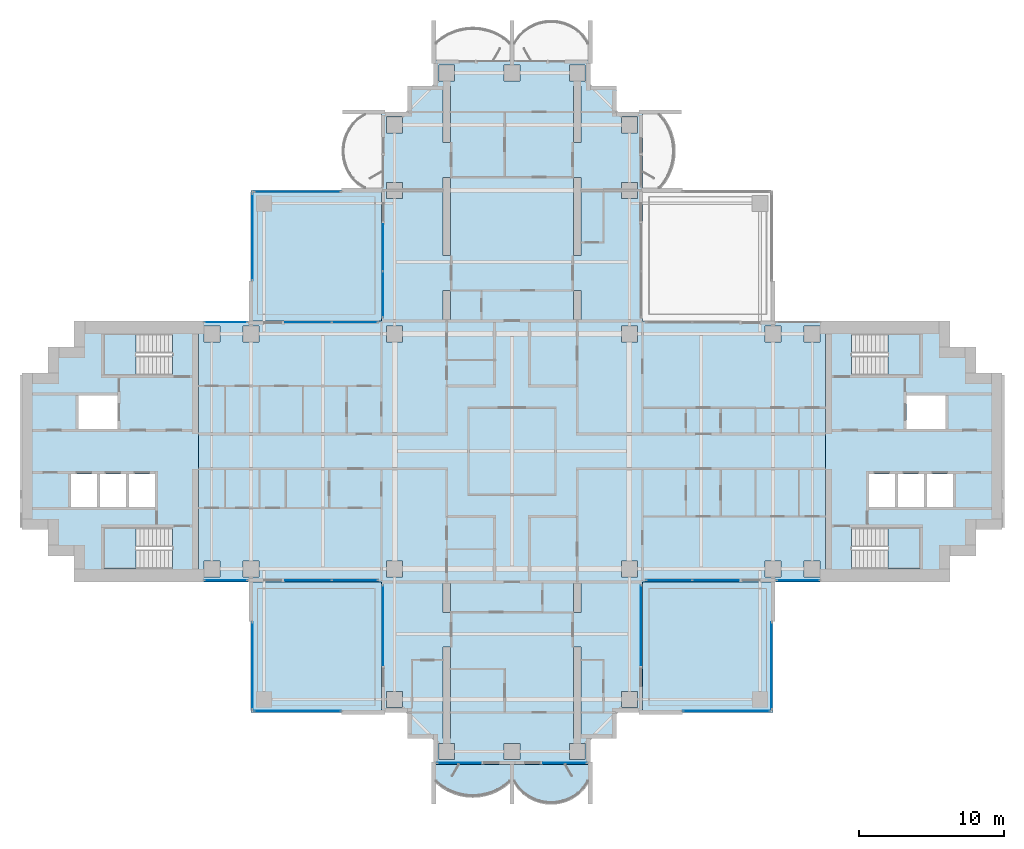
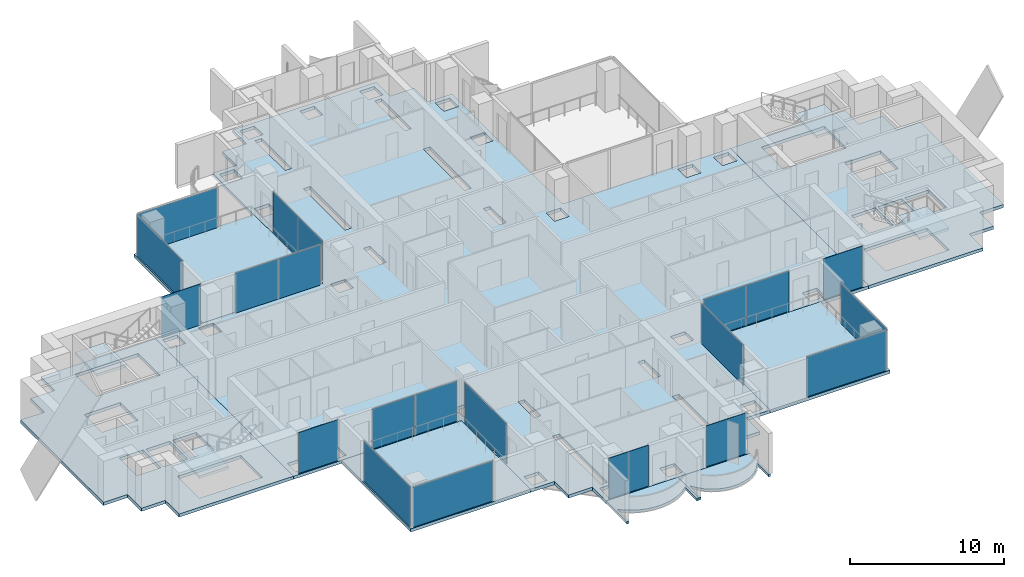
# One storey, part 7 of 18: 21 plates, 12 slabs, 21 elements without a shape of their own.
"""IFC4 building model written with IfcOpenShell, lengths in metres."""

from ifc_helpers import new_model, si_unit, direction, frame, origin, origin_2d, place, context, subcontext, project, spatial, polyline, rectangle, outline, extrude, material, layer, layer_set, type_object, element, aggregate, save


model = new_model("IFC4")

# Units and contexts
model_context = context("Model", 3, precision=1e-05, world=origin(), true_north=direction((0.0, 1.0)))
body_context = subcontext(model_context, "Body", "Model", "MODEL_VIEW")
ifc_project = project(units=[si_unit("LENGTHUNIT", "METRE"), si_unit("AREAUNIT", "SQUARE_METRE"), si_unit("VOLUMEUNIT", "CUBIC_METRE"), si_unit("PLANEANGLEUNIT", "RADIAN"), si_unit("MASSUNIT", "GRAM", prefix="KILO")], contexts=[model_context])

# Site, building, storey
site_placement = place(None, origin())
site = spatial("IfcSite", under=ifc_project, at=site_placement, CompositionType="ELEMENT")
building_placement = place(site_placement, origin())
building = spatial("IfcBuilding", under=site, at=building_placement, Name="Perihelion Cross Residences", CompositionType="ELEMENT")
storey_placement = place(building_placement, frame((0.0, 0.0, 140.89990234375)))
storey = spatial("IfcBuildingStorey", under=building, at=storey_placement, Name="L34", CompositionType="ELEMENT", Elevation=140.89990234375)

# Slabs
ifc_material_1 = material(Name="Concrete C40/50", Category="concrete")
ifc_layer_1 = layer(ifc_material_1, 0.199951171875)
ifc_layer_set_1 = layer_set([ifc_layer_1], Name="Balcony slab 200")
slab_type_1 = type_object("IfcSlabType", Name="Balcony slab 200", PredefinedType="FLOOR", material=ifc_layer_set_1)
slab_1_placement = place(storey_placement, frame((0.0, 0.0, -0.199951171875)))
element("IfcSlab", 1, at=slab_1_placement, inside=storey, type_object=slab_type_1, Name="Slab BK1 L34 south tip south bay 1 balcony", PredefinedType="FLOOR", context=body_context, shape_type="SweptSolid", body=[
    extrude(outline(polyline([(-5.39990234375, -21.60009765625), (0.0, -21.60009765625), (0.0, -24.300048828125), (-0.14990234375, -24.300048828125), (-0.14990234375, -22.800048828125), (-0.574951171875, -23.14013671875), (-1.0, -23.392578125), (-1.425048828125, -23.57666015625), (-1.85009765625, -23.702392578125), (-2.27490234375, -23.77587890625), (-2.699951171875, -23.800048828125), (-3.125, -23.77587890625), (-3.550048828125, -23.702392578125), (-3.97509765625, -23.57666015625), (-4.39990234375, -23.392578125), (-4.824951171875, -23.14013671875), (-5.25, -22.800048828125), (-5.25, -24.300048828125), (-5.39990234375, -24.300048828125), (-5.39990234375, -21.60009765625)])), origin(), (0.0, 0.0, 1.0), 0.199951171875),
])
slab_2_placement = place(storey_placement, frame((0.0, 0.0, -0.199951171875)))
element("IfcSlab", 2, at=slab_2_placement, inside=storey, type_object=slab_type_1, Name="Slab BK1 L34 south tip south bay 2 balcony", PredefinedType="FLOOR", context=body_context, shape_type="SweptSolid", body=[
    extrude(outline(polyline([(0.0, -21.60009765625), (5.39990234375, -21.60009765625), (5.39990234375, -24.300048828125), (5.25, -24.300048828125), (5.25, -22.800048828125), (4.909912109375, -23.27685546875), (4.570068359375, -23.60693359375), (4.22998046875, -23.84912109375), (3.889892578125, -24.027099609375), (3.550048828125, -24.1533203125), (3.2099609375, -24.234375), (2.8701171875, -24.274169921875), (2.530029296875, -24.274169921875), (2.18994140625, -24.234375), (1.85009765625, -24.1533203125), (1.510009765625, -24.027099609375), (1.169921875, -23.84912109375), (0.830078125, -23.60693359375), (0.489990234375, -23.27685546875), (0.14990234375, -22.800048828125), (0.14990234375, -24.300048828125), (0.0, -24.300048828125), (0.0, -21.60009765625)])), origin(), (0.0, 0.0, 1.0), 0.199951171875),
])

# Curtain wall, plates
ifc_material_2 = material(Name="Bronze anodised aluminium, tinted glazing", Category="aluminium")
curtain_wall_type_1 = type_object("IfcCurtainWallType", Name="CW1", PredefinedType="NOTDEFINED", material=ifc_material_2)
curtain_wall_1_placement = place(storey_placement, origin())
curtain_wall_1 = element("IfcCurtainWall", 3, at=curtain_wall_1_placement, inside=storey, type_object=curtain_wall_type_1, Name="Curtain wall CW1 L34 north side west bay 2", PredefinedType="NOTDEFINED")
ifc_material_3 = material(Name="Tinted laminated glass", Category="glass")
ifc_layer_2 = layer(ifc_material_3, 0.028076171875)
ifc_layer_set_2 = layer_set([ifc_layer_2], Name="CW1 panel")
plate_type_1 = type_object("IfcPlateType", Name="CW1 panel", PredefinedType="CURTAIN_PANEL", material=ifc_layer_set_2)
plate_1_placement = place(storey_placement, frame((-8.89990234375, 14.052490234375, 0.000244140625), z_axis=(0.0, 0.0, 1.0), x_axis=(0.0, -1.0, 0.0)))
plate_1 = element("IfcPlate", 4, at=plate_1_placement, type_object=plate_type_1, Name="CW1 panel 1", PredefinedType="CURTAIN_PANEL", context=body_context, shape_type="SweptSolid", body=[
    extrude(rectangle(XDim=3.195068359375, YDim=0.028076171875, at=origin_2d()), origin(), (0.0, 0.0, 1.0), 3.18994140625),
])
plate_2_placement = place(storey_placement, frame((-8.89990234375, 10.827392578125, 0.000244140625), z_axis=(0.0, 0.0, 1.0), x_axis=(0.0, -1.0, 0.0)))
plate_2 = element("IfcPlate", 5, at=plate_2_placement, type_object=plate_type_1, Name="CW1 panel 2", PredefinedType="CURTAIN_PANEL", context=body_context, shape_type="SweptSolid", body=[
    extrude(rectangle(XDim=3.135009765625, YDim=0.028076171875, at=origin_2d()), origin(), (0.0, 0.0, 1.0), 3.18994140625),
])
aggregate(curtain_wall_1, [plate_1, plate_2])

curtain_wall_2_placement = place(storey_placement, origin())
curtain_wall_2 = element("IfcCurtainWall", 6, at=curtain_wall_2_placement, inside=storey, type_object=curtain_wall_type_1, Name="Curtain wall CW1 L34 west side north bay 1", PredefinedType="NOTDEFINED")
plate_3_placement = place(storey_placement, frame((-10.827392578125, 8.89990234375, 0.000244140625), z_axis=(0.0, 0.0, 1.0), x_axis=(-1.0, 0.0, 0.0)))
plate_3 = element("IfcPlate", 7, at=plate_3_placement, type_object=plate_type_1, Name="CW1 panel 1", PredefinedType="CURTAIN_PANEL", context=body_context, shape_type="SweptSolid", body=[
    extrude(rectangle(XDim=3.135009765625, YDim=0.028076171875, at=origin_2d()), origin(), (0.0, 0.0, 1.0), 3.18994140625),
])
plate_4_placement = place(storey_placement, frame((-14.052490234375, 8.89990234375, 0.000244140625), z_axis=(0.0, 0.0, 1.0), x_axis=(-1.0, 0.0, 0.0)))
plate_4 = element("IfcPlate", 8, at=plate_4_placement, type_object=plate_type_1, Name="CW1 panel 2", PredefinedType="CURTAIN_PANEL", context=body_context, shape_type="SweptSolid", body=[
    extrude(rectangle(XDim=3.195068359375, YDim=0.028076171875, at=origin_2d()), origin(), (0.0, 0.0, 1.0), 3.18994140625),
])
aggregate(curtain_wall_2, [plate_3, plate_4])

# Curtain wall, plate
curtain_wall_3_placement = place(storey_placement, origin())
curtain_wall_3 = element("IfcCurtainWall", 9, at=curtain_wall_3_placement, inside=storey, type_object=curtain_wall_type_1, Name="Curtain wall CW1 L34 west side north bay 2", PredefinedType="NOTDEFINED")
plate_5_placement = place(storey_placement, frame((-19.72509765625, 8.89990234375, 0.0), z_axis=(0.0, 0.0, 1.0), x_axis=(-1.0, 0.0, 0.0)))
plate_5 = element("IfcPlate", 10, at=plate_5_placement, type_object=plate_type_1, Name="CW1 panel 1", PredefinedType="CURTAIN_PANEL", context=body_context, shape_type="SweptSolid", body=[
    extrude(rectangle(XDim=2.929931640625, YDim=0.028076171875, at=origin_2d()), origin(), (0.0, 0.0, 1.0), 3.25),
])
aggregate(curtain_wall_3, [plate_5])

curtain_wall_4_placement = place(storey_placement, origin())
curtain_wall_4 = element("IfcCurtainWall", 11, at=curtain_wall_4_placement, inside=storey, type_object=curtain_wall_type_1, Name="Curtain wall CW1 L34 west side south bay 1", PredefinedType="NOTDEFINED")
plate_6_placement = place(storey_placement, frame((-19.72509765625, -8.89990234375, 0.0), z_axis=(0.0, 0.0, 1.0), x_axis=(1.0, 0.0, 0.0)))
plate_6 = element("IfcPlate", 12, at=plate_6_placement, type_object=plate_type_1, Name="CW1 panel 1", PredefinedType="CURTAIN_PANEL", context=body_context, shape_type="SweptSolid", body=[
    extrude(rectangle(XDim=2.929931640625, YDim=0.028076171875, at=origin_2d()), origin(), (0.0, 0.0, 1.0), 3.25),
])
aggregate(curtain_wall_4, [plate_6])

# Curtain wall, plates
curtain_wall_5_placement = place(storey_placement, origin())
curtain_wall_5 = element("IfcCurtainWall", 13, at=curtain_wall_5_placement, inside=storey, type_object=curtain_wall_type_1, Name="Curtain wall CW1 L34 west side south bay 2", PredefinedType="NOTDEFINED")
plate_7_placement = place(storey_placement, frame((-14.052490234375, -8.89990234375, 0.000244140625), z_axis=(0.0, 0.0, 1.0), x_axis=(1.0, 0.0, 0.0)))
plate_7 = element("IfcPlate", 14, at=plate_7_placement, type_object=plate_type_1, Name="CW1 panel 1", PredefinedType="CURTAIN_PANEL", context=body_context, shape_type="SweptSolid", body=[
    extrude(rectangle(XDim=3.195068359375, YDim=0.028076171875, at=origin_2d()), origin(), (0.0, 0.0, 1.0), 3.18994140625),
])
plate_8_placement = place(storey_placement, frame((-10.827392578125, -8.89990234375, 0.000244140625), z_axis=(0.0, 0.0, 1.0), x_axis=(1.0, 0.0, 0.0)))
plate_8 = element("IfcPlate", 15, at=plate_8_placement, type_object=plate_type_1, Name="CW1 panel 2", PredefinedType="CURTAIN_PANEL", context=body_context, shape_type="SweptSolid", body=[
    extrude(rectangle(XDim=3.135009765625, YDim=0.028076171875, at=origin_2d()), origin(), (0.0, 0.0, 1.0), 3.18994140625),
])
aggregate(curtain_wall_5, [plate_7, plate_8])

# Curtain wall, plate
curtain_wall_6_placement = place(storey_placement, origin())
curtain_wall_6 = element("IfcCurtainWall", 16, at=curtain_wall_6_placement, inside=storey, type_object=curtain_wall_type_1, Name="Curtain wall CW1 L34 south side west bay 1", PredefinedType="NOTDEFINED")
plate_9_placement = place(storey_placement, frame((-8.89990234375, -12.0048828125, 0.000244140625), z_axis=(0.0, 0.0, 1.0), x_axis=(0.0, -1.0, 0.0)))
plate_9 = element("IfcPlate", 17, at=plate_9_placement, type_object=plate_type_1, Name="CW1 panel 1", PredefinedType="CURTAIN_PANEL", context=body_context, shape_type="SweptSolid", body=[
    extrude(rectangle(XDim=5.489990234375, YDim=0.028076171875, at=origin_2d()), origin(), (0.0, 0.0, 1.0), 3.18994140625),
])
aggregate(curtain_wall_6, [plate_9])

curtain_wall_7_placement = place(storey_placement, origin())
curtain_wall_7 = element("IfcCurtainWall", 18, at=curtain_wall_7_placement, inside=storey, type_object=curtain_wall_type_1, Name="Curtain wall CW1 L34 south tip south bay 1", PredefinedType="NOTDEFINED")
plate_10_placement = place(storey_placement, frame((-3.64501953125, -21.5, 0.0), z_axis=(0.0, 0.0, 1.0), x_axis=(1.0, 0.0, 0.0)))
plate_10 = element("IfcPlate", 19, at=plate_10_placement, type_object=plate_type_1, Name="CW1 panel 1", PredefinedType="CURTAIN_PANEL", context=body_context, shape_type="SweptSolid", body=[
    extrude(rectangle(XDim=2.989990234375, YDim=0.028076171875, at=origin_2d()), origin(), (0.0, 0.0, 1.0), 3.25),
])
aggregate(curtain_wall_7, [plate_10])

curtain_wall_8_placement = place(storey_placement, origin())
curtain_wall_8 = element("IfcCurtainWall", 20, at=curtain_wall_8_placement, inside=storey, type_object=curtain_wall_type_1, Name="Curtain wall CW1 L34 south tip south bay 2", PredefinedType="NOTDEFINED")
plate_11_placement = place(storey_placement, frame((3.64501953125, -21.5, 0.0), z_axis=(0.0, 0.0, 1.0), x_axis=(1.0, 0.0, 0.0)))
plate_11 = element("IfcPlate", 21, at=plate_11_placement, type_object=plate_type_1, Name="CW1 panel 1", PredefinedType="CURTAIN_PANEL", context=body_context, shape_type="SweptSolid", body=[
    extrude(rectangle(XDim=2.989990234375, YDim=0.028076171875, at=origin_2d()), origin(), (0.0, 0.0, 1.0), 3.25),
])
aggregate(curtain_wall_8, [plate_11])

curtain_wall_9_placement = place(storey_placement, origin())
curtain_wall_9 = element("IfcCurtainWall", 22, at=curtain_wall_9_placement, inside=storey, type_object=curtain_wall_type_1, Name="Curtain wall CW1 L34 south side east bay 1", PredefinedType="NOTDEFINED")
plate_12_placement = place(storey_placement, frame((8.89990234375, -12.0048828125, 0.000244140625), z_axis=(0.0, 0.0, 1.0), x_axis=(0.0, 1.0, 0.0)))
plate_12 = element("IfcPlate", 23, at=plate_12_placement, type_object=plate_type_1, Name="CW1 panel 1", PredefinedType="CURTAIN_PANEL", context=body_context, shape_type="SweptSolid", body=[
    extrude(rectangle(XDim=5.489990234375, YDim=0.028076171875, at=origin_2d()), origin(), (0.0, 0.0, 1.0), 3.18994140625),
])
aggregate(curtain_wall_9, [plate_12])

# Curtain wall, plates
curtain_wall_10_placement = place(storey_placement, origin())
curtain_wall_10 = element("IfcCurtainWall", 24, at=curtain_wall_10_placement, inside=storey, type_object=curtain_wall_type_1, Name="Curtain wall CW1 L34 east side south bay 1", PredefinedType="NOTDEFINED")
plate_13_placement = place(storey_placement, frame((10.827392578125, -8.89990234375, 0.000244140625), z_axis=(0.0, 0.0, 1.0), x_axis=(1.0, 0.0, 0.0)))
plate_13 = element("IfcPlate", 25, at=plate_13_placement, type_object=plate_type_1, Name="CW1 panel 1", PredefinedType="CURTAIN_PANEL", context=body_context, shape_type="SweptSolid", body=[
    extrude(rectangle(XDim=3.135009765625, YDim=0.028076171875, at=origin_2d()), origin(), (0.0, 0.0, 1.0), 3.18994140625),
])
plate_14_placement = place(storey_placement, frame((14.052490234375, -8.89990234375, 0.000244140625), z_axis=(0.0, 0.0, 1.0), x_axis=(1.0, 0.0, 0.0)))
plate_14 = element("IfcPlate", 26, at=plate_14_placement, type_object=plate_type_1, Name="CW1 panel 2", PredefinedType="CURTAIN_PANEL", context=body_context, shape_type="SweptSolid", body=[
    extrude(rectangle(XDim=3.195068359375, YDim=0.028076171875, at=origin_2d()), origin(), (0.0, 0.0, 1.0), 3.18994140625),
])
aggregate(curtain_wall_10, [plate_13, plate_14])

# Curtain wall, plate
curtain_wall_11_placement = place(storey_placement, origin())
curtain_wall_11 = element("IfcCurtainWall", 27, at=curtain_wall_11_placement, inside=storey, type_object=curtain_wall_type_1, Name="Curtain wall CW1 L34 east side south bay 2", PredefinedType="NOTDEFINED")
plate_15_placement = place(storey_placement, frame((19.72509765625, -8.89990234375, 0.0), z_axis=(0.0, 0.0, 1.0), x_axis=(1.0, 0.0, 0.0)))
plate_15 = element("IfcPlate", 28, at=plate_15_placement, type_object=plate_type_1, Name="CW1 panel 1", PredefinedType="CURTAIN_PANEL", context=body_context, shape_type="SweptSolid", body=[
    extrude(rectangle(XDim=2.929931640625, YDim=0.028076171875, at=origin_2d()), origin(), (0.0, 0.0, 1.0), 3.25),
])
aggregate(curtain_wall_11, [plate_15])

ifc_material_4 = material(Name="Bronze anodised aluminium, tinted glazing", Category="aluminium")
curtain_wall_type_2 = type_object("IfcCurtainWallType", Name="CW4", PredefinedType="NOTDEFINED", material=ifc_material_4)
curtain_wall_12_placement = place(storey_placement, origin())
curtain_wall_12 = element("IfcCurtainWall", 29, at=curtain_wall_12_placement, inside=storey, type_object=curtain_wall_type_2, Name="Curtain wall CW4 L34 pocket north-west 1 1", PredefinedType="NOTDEFINED")
ifc_material_5 = material(Name="Tinted laminated glass", Category="glass")
ifc_layer_3 = layer(ifc_material_5, 0.030029296875)
ifc_layer_set_3 = layer_set([ifc_layer_3], Name="CW4 panel")
plate_type_2 = type_object("IfcPlateType", Name="CW4 panel", PredefinedType="CURTAIN_PANEL", material=ifc_layer_set_3)
plate_16_placement = place(storey_placement, frame((-17.89990234375, 14.784912109375, 0.000244140625), z_axis=(0.0, 0.0, 1.0), x_axis=(0.0, 1.0, 0.0)))
plate_16 = element("IfcPlate", 30, at=plate_16_placement, type_object=plate_type_2, Name="CW4 panel 1", PredefinedType="CURTAIN_PANEL", context=body_context, shape_type="SweptSolid", body=[
    extrude(rectangle(XDim=5.969970703125, YDim=0.030029296875, at=origin_2d()), origin(), (0.0, 0.0, 1.0), 3.18994140625),
])
aggregate(curtain_wall_12, [plate_16])

curtain_wall_13_placement = place(storey_placement, origin())
curtain_wall_13 = element("IfcCurtainWall", 31, at=curtain_wall_13_placement, inside=storey, type_object=curtain_wall_type_2, Name="Curtain wall CW4 L34 pocket north-west 1 2", PredefinedType="NOTDEFINED")
plate_17_placement = place(storey_placement, frame((-14.784912109375, 17.89990234375, 0.000244140625), z_axis=(0.0, 0.0, 1.0), x_axis=(1.0, 0.0, 0.0)))
plate_17 = element("IfcPlate", 32, at=plate_17_placement, type_object=plate_type_2, Name="CW4 panel 1", PredefinedType="CURTAIN_PANEL", context=body_context, shape_type="SweptSolid", body=[
    extrude(rectangle(XDim=5.969970703125, YDim=0.030029296875, at=origin_2d()), origin(), (0.0, 0.0, 1.0), 3.18994140625),
])
aggregate(curtain_wall_13, [plate_17])

curtain_wall_14_placement = place(storey_placement, origin())
curtain_wall_14 = element("IfcCurtainWall", 33, at=curtain_wall_14_placement, inside=storey, type_object=curtain_wall_type_2, Name="Curtain wall CW4 L34 pocket south-east 1 1", PredefinedType="NOTDEFINED")
plate_18_placement = place(storey_placement, frame((17.89990234375, -14.784912109375, 0.000244140625), z_axis=(0.0, 0.0, 1.0), x_axis=(0.0, -1.0, 0.0)))
plate_18 = element("IfcPlate", 34, at=plate_18_placement, type_object=plate_type_2, Name="CW4 panel 1", PredefinedType="CURTAIN_PANEL", context=body_context, shape_type="SweptSolid", body=[
    extrude(rectangle(XDim=5.969970703125, YDim=0.030029296875, at=origin_2d()), origin(), (0.0, 0.0, 1.0), 3.18994140625),
])
aggregate(curtain_wall_14, [plate_18])

curtain_wall_15_placement = place(storey_placement, origin())
curtain_wall_15 = element("IfcCurtainWall", 35, at=curtain_wall_15_placement, inside=storey, type_object=curtain_wall_type_2, Name="Curtain wall CW4 L34 pocket south-east 1 2", PredefinedType="NOTDEFINED")
plate_19_placement = place(storey_placement, frame((14.784912109375, -17.89990234375, 0.000244140625), z_axis=(0.0, 0.0, 1.0), x_axis=(-1.0, 0.0, 0.0)))
plate_19 = element("IfcPlate", 36, at=plate_19_placement, type_object=plate_type_2, Name="CW4 panel 1", PredefinedType="CURTAIN_PANEL", context=body_context, shape_type="SweptSolid", body=[
    extrude(rectangle(XDim=5.969970703125, YDim=0.030029296875, at=origin_2d()), origin(), (0.0, 0.0, 1.0), 3.18994140625),
])
aggregate(curtain_wall_15, [plate_19])

curtain_wall_16_placement = place(storey_placement, origin())
curtain_wall_16 = element("IfcCurtainWall", 37, at=curtain_wall_16_placement, inside=storey, type_object=curtain_wall_type_2, Name="Curtain wall CW4 L34 pocket south-west 1 1", PredefinedType="NOTDEFINED")
plate_20_placement = place(storey_placement, frame((-14.784912109375, -17.89990234375, 0.000244140625), z_axis=(0.0, 0.0, 1.0), x_axis=(-1.0, 0.0, 0.0)))
plate_20 = element("IfcPlate", 38, at=plate_20_placement, type_object=plate_type_2, Name="CW4 panel 1", PredefinedType="CURTAIN_PANEL", context=body_context, shape_type="SweptSolid", body=[
    extrude(rectangle(XDim=5.969970703125, YDim=0.030029296875, at=origin_2d()), origin(), (0.0, 0.0, 1.0), 3.18994140625),
])
aggregate(curtain_wall_16, [plate_20])

curtain_wall_17_placement = place(storey_placement, origin())
curtain_wall_17 = element("IfcCurtainWall", 39, at=curtain_wall_17_placement, inside=storey, type_object=curtain_wall_type_2, Name="Curtain wall CW4 L34 pocket south-west 1 2", PredefinedType="NOTDEFINED")
plate_21_placement = place(storey_placement, frame((-17.89990234375, -14.784912109375, 0.000244140625), z_axis=(0.0, 0.0, 1.0), x_axis=(0.0, 1.0, 0.0)))
plate_21 = element("IfcPlate", 40, at=plate_21_placement, type_object=plate_type_2, Name="CW4 panel 1", PredefinedType="CURTAIN_PANEL", context=body_context, shape_type="SweptSolid", body=[
    extrude(rectangle(XDim=5.969970703125, YDim=0.030029296875, at=origin_2d()), origin(), (0.0, 0.0, 1.0), 3.18994140625),
])
aggregate(curtain_wall_17, [plate_21])

# Slabs
ifc_material_6 = material(Name="Concrete C40/50", Category="concrete")
ifc_layer_4 = layer(ifc_material_6, 0.25)
ifc_layer_set_4 = layer_set([ifc_layer_4], Name="Core floor slab 250")
slab_type_2 = type_object("IfcSlabType", Name="Core floor slab 250", PredefinedType="FLOOR", material=ifc_layer_set_4)
slab_3_placement = place(storey_placement, frame((0.0, 0.0, -0.25)))
element("IfcSlab", 41, at=slab_3_placement, inside=storey, type_object=slab_type_2, Name="East core floor slab", PredefinedType="FLOOR", context=body_context, shape_type="SweptSolid", body=[
    extrude(outline(polyline([(30.199951171875, 7.199951171875), (32.0, 7.199951171875), (32.0, 5.39990234375), (33.800048828125, 5.39990234375), (33.800048828125, -5.39990234375), (32.0, -5.39990234375), (32.0, -7.199951171875), (30.199951171875, -7.199951171875), (30.199951171875, -9.0), (21.60009765625, -9.0), (21.60009765625, 9.0), (30.199951171875, 9.0), (30.199951171875, 7.199951171875)]), holes=[polyline([(28.14990234375, -8.10009765625), (28.14990234375, -5.25), (23.405029296875, -5.25), (23.405029296875, -8.10009765625), (28.14990234375, -8.10009765625)]), polyline([(24.60009765625, -1.550048828125), (24.60009765625, -3.85009765625), (26.39990234375, -3.85009765625), (26.39990234375, -1.550048828125), (24.60009765625, -1.550048828125)]), polyline([(26.60009765625, -1.550048828125), (26.60009765625, -3.85009765625), (28.39990234375, -3.85009765625), (28.39990234375, -1.550048828125), (26.60009765625, -1.550048828125)]), polyline([(28.60009765625, -3.85009765625), (30.39990234375, -3.85009765625), (30.39990234375, -1.550048828125), (28.60009765625, -1.550048828125), (28.60009765625, -3.85009765625)]), polyline([(27.199951171875, 3.85009765625), (27.199951171875, 1.550048828125), (29.89990234375, 1.550048828125), (29.89990234375, 3.85009765625), (27.199951171875, 3.85009765625)]), polyline([(23.405029296875, 5.25), (28.14990234375, 5.25), (28.14990234375, 8.10009765625), (23.405029296875, 8.10009765625), (23.405029296875, 5.25)])]), origin(), (0.0, 0.0, 1.0), 0.25),
])
slab_4_placement = place(storey_placement, frame((0.0, 0.0, -0.25)))
element("IfcSlab", 42, at=slab_4_placement, inside=storey, type_object=slab_type_2, Name="West core floor slab", PredefinedType="FLOOR", context=body_context, shape_type="SweptSolid", body=[
    extrude(outline(polyline([(-30.199951171875, 7.199951171875), (-32.0, 7.199951171875), (-32.0, 5.39990234375), (-33.800048828125, 5.39990234375), (-33.800048828125, -5.39990234375), (-32.0, -5.39990234375), (-32.0, -7.199951171875), (-30.199951171875, -7.199951171875), (-30.199951171875, -9.0), (-21.60009765625, -9.0), (-21.60009765625, 9.0), (-30.199951171875, 9.0), (-30.199951171875, 7.199951171875)]), holes=[polyline([(-28.14990234375, -8.10009765625), (-28.14990234375, -5.25), (-23.405029296875, -5.25), (-23.405029296875, -8.10009765625), (-28.14990234375, -8.10009765625)]), polyline([(-24.60009765625, -1.550048828125), (-24.60009765625, -3.85009765625), (-26.39990234375, -3.85009765625), (-26.39990234375, -1.550048828125), (-24.60009765625, -1.550048828125)]), polyline([(-26.60009765625, -1.550048828125), (-26.60009765625, -3.85009765625), (-28.39990234375, -3.85009765625), (-28.39990234375, -1.550048828125), (-26.60009765625, -1.550048828125)]), polyline([(-28.60009765625, -3.85009765625), (-30.39990234375, -3.85009765625), (-30.39990234375, -1.550048828125), (-28.60009765625, -1.550048828125), (-28.60009765625, -3.85009765625)]), polyline([(-27.199951171875, 3.85009765625), (-27.199951171875, 1.550048828125), (-29.89990234375, 1.550048828125), (-29.89990234375, 3.85009765625), (-27.199951171875, 3.85009765625)]), polyline([(-23.405029296875, 5.25), (-28.14990234375, 5.25), (-28.14990234375, 8.10009765625), (-23.405029296875, 8.10009765625), (-23.405029296875, 5.25)])]), origin(), (0.0, 0.0, 1.0), 0.25),
])

# Stair, slab
ifc_material_7 = material(Name="Concrete C40/50", Category="concrete")
stair_type = type_object("IfcStairType", Name="Exit stair, half-turn", PredefinedType="HALF_TURN_STAIR", material=ifc_material_7)
stair_1_placement = place(storey_placement, origin())
stair_1 = element("IfcStair", 43, at=stair_1_placement, inside=storey, type_object=stair_type, Name="L34 East core exit stair 1", PredefinedType="HALF_TURN_STAIR")
ifc_material_8 = material(Name="Concrete C40/50", Category="concrete")
ifc_layer_5 = layer(ifc_material_8, 0.199951171875)
ifc_layer_set_5 = layer_set([ifc_layer_5], Name="Exit stair landing 200")
slab_type_3 = type_object("IfcSlabType", Name="Exit stair landing 200", PredefinedType="LANDING", material=ifc_layer_set_5)
slab_5_placement = place(storey_placement, frame((0.0, 0.0, 1.550048828125)))
slab_5 = element("IfcSlab", 44, at=slab_5_placement, type_object=slab_type_3, Name="ST-E1 landing 1", PredefinedType="LANDING", context=body_context, shape_type="SweptSolid", body=[
    extrude(outline(polyline([(25.919921875, 5.25), (28.14990234375, 5.25), (28.14990234375, 8.10009765625), (25.919921875, 8.10009765625), (25.919921875, 5.25)])), origin(), (0.0, 0.0, 1.0), 0.199951171875),
])
aggregate(stair_1, [slab_5])

stair_2_placement = place(storey_placement, origin())
stair_2 = element("IfcStair", 45, at=stair_2_placement, inside=storey, type_object=stair_type, Name="L34 East core exit stair 2", PredefinedType="HALF_TURN_STAIR")
slab_6_placement = place(storey_placement, frame((0.0, 0.0, 1.550048828125)))
slab_6 = element("IfcSlab", 46, at=slab_6_placement, type_object=slab_type_3, Name="ST-E2 landing 1", PredefinedType="LANDING", context=body_context, shape_type="SweptSolid", body=[
    extrude(outline(polyline([(25.919921875, -8.10009765625), (28.14990234375, -8.10009765625), (28.14990234375, -5.25), (25.919921875, -5.25), (25.919921875, -8.10009765625)])), origin(), (0.0, 0.0, 1.0), 0.199951171875),
])
aggregate(stair_2, [slab_6])

stair_3_placement = place(storey_placement, origin())
stair_3 = element("IfcStair", 47, at=stair_3_placement, inside=storey, type_object=stair_type, Name="L34 West core exit stair 1", PredefinedType="HALF_TURN_STAIR")
slab_7_placement = place(storey_placement, frame((0.0, 0.0, 1.550048828125)))
slab_7 = element("IfcSlab", 48, at=slab_7_placement, type_object=slab_type_3, Name="ST-W1 landing 1", PredefinedType="LANDING", context=body_context, shape_type="SweptSolid", body=[
    extrude(outline(polyline([(-25.919921875, 8.10009765625), (-28.14990234375, 8.10009765625), (-28.14990234375, 5.25), (-25.919921875, 5.25), (-25.919921875, 8.10009765625)])), origin(), (0.0, 0.0, 1.0), 0.199951171875),
])
aggregate(stair_3, [slab_7])

stair_4_placement = place(storey_placement, origin())
stair_4 = element("IfcStair", 49, at=stair_4_placement, inside=storey, type_object=stair_type, Name="L34 West core exit stair 2", PredefinedType="HALF_TURN_STAIR")
slab_8_placement = place(storey_placement, frame((0.0, 0.0, 1.550048828125)))
slab_8 = element("IfcSlab", 50, at=slab_8_placement, type_object=slab_type_3, Name="ST-W2 landing 1", PredefinedType="LANDING", context=body_context, shape_type="SweptSolid", body=[
    extrude(outline(polyline([(-25.919921875, -5.25), (-28.14990234375, -5.25), (-28.14990234375, -8.10009765625), (-25.919921875, -8.10009765625), (-25.919921875, -5.25)])), origin(), (0.0, 0.0, 1.0), 0.199951171875),
])
aggregate(stair_4, [slab_8])

# Slabs
ifc_material_9 = material(Name="Concrete C50/60", Category="concrete")
ifc_layer_6 = layer(ifc_material_9, 0.25)
ifc_layer_set_6 = layer_set([ifc_layer_6], Name="Residential floor post-tensioned slab concrete C50/60")
slab_type_4 = type_object("IfcSlabType", Name="Residential floor post-tensioned slab concrete C50/60", PredefinedType="FLOOR", material=ifc_layer_set_6)
slab_9_placement = place(storey_placement, frame((0.0, 0.0, -0.25)))
element("IfcSlab", 51, at=slab_9_placement, inside=storey, type_object=slab_type_4, Name="Slab SL8 L34 1 no. 1", PredefinedType="FLOOR", context=body_context, shape_type="SweptSolid", body=[
    extrude(outline(polyline([(-9.0, 9.0), (-9.0, 23.39990234375), (-7.199951171875, 23.39990234375), (-7.199951171875, 25.199951171875), (-5.39990234375, 25.199951171875), (-5.39990234375, 27.0), (5.39990234375, 27.0), (5.39990234375, 25.199951171875), (7.199951171875, 25.199951171875), (7.199951171875, 23.39990234375), (9.0, 23.39990234375), (9.0, 9.0), (21.60009765625, 9.0), (21.60009765625, -9.0), (9.0, -9.0), (9.0, -18.0), (7.199951171875, -18.0), (7.199951171875, -19.800048828125), (5.39990234375, -19.800048828125), (5.39990234375, -21.60009765625), (-5.39990234375, -21.60009765625), (-5.39990234375, -19.800048828125), (-7.199951171875, -19.800048828125), (-7.199951171875, -18.0), (-9.0, -18.0), (-9.0, -9.0), (-21.60009765625, -9.0), (-21.60009765625, 9.0), (-9.0, 9.0)]), holes=[polyline([(0.550048828125, -21.25), (0.550048828125, -20.14990234375), (-0.550048828125, -20.14990234375), (-0.550048828125, -21.25), (0.550048828125, -21.25)]), polyline([(-3.949951171875, -21.25), (-3.949951171875, -20.14990234375), (-5.050048828125, -20.14990234375), (-5.050048828125, -21.25), (-3.949951171875, -21.25)]), polyline([(-7.550048828125, -17.64990234375), (-7.550048828125, -16.550048828125), (-8.64990234375, -16.550048828125), (-8.64990234375, -17.64990234375), (-7.550048828125, -17.64990234375)]), polyline([(-4.25, -19.800048828125), (-4.25, -13.5), (-4.75, -13.5), (-4.75, -19.800048828125), (-4.25, -19.800048828125)]), polyline([(-4.25, -11.10009765625), (-4.25, -9.0), (-4.75, -9.0), (-4.75, -11.10009765625), (-4.25, -11.10009765625)]), polyline([(-20.14990234375, -8.64990234375), (-20.14990234375, -7.550048828125), (-21.25, -7.550048828125), (-21.25, -8.64990234375), (-20.14990234375, -8.64990234375)]), polyline([(-7.550048828125, -8.64990234375), (-7.550048828125, -7.550048828125), (-8.64990234375, -7.550048828125), (-8.64990234375, -8.64990234375), (-7.550048828125, -8.64990234375)]), polyline([(-18.550048828125, -8.64990234375), (-17.449951171875, -8.64990234375), (-17.449951171875, -7.550048828125), (-18.550048828125, -7.550048828125), (-18.550048828125, -8.64990234375)]), polyline([(-7.550048828125, 7.550048828125), (-7.550048828125, 8.64990234375), (-8.64990234375, 8.64990234375), (-8.64990234375, 7.550048828125), (-7.550048828125, 7.550048828125)]), polyline([(-17.449951171875, 7.550048828125), (-17.449951171875, 8.64990234375), (-18.550048828125, 8.64990234375), (-18.550048828125, 7.550048828125), (-17.449951171875, 7.550048828125)]), polyline([(-20.14990234375, 7.550048828125), (-20.14990234375, 8.64990234375), (-21.25, 8.64990234375), (-21.25, 7.550048828125), (-20.14990234375, 7.550048828125)]), polyline([(-4.25, 9.0), (-4.25, 11.10009765625), (-4.75, 11.10009765625), (-4.75, 9.0), (-4.25, 9.0)]), polyline([(-4.25, 13.5), (-4.25, 18.89990234375), (-4.75, 18.89990234375), (-4.75, 13.5), (-4.25, 13.5)]), polyline([(-7.550048828125, 17.449951171875), (-7.550048828125, 18.550048828125), (-8.64990234375, 18.550048828125), (-8.64990234375, 17.449951171875), (-7.550048828125, 17.449951171875)]), polyline([(-7.550048828125, 21.949951171875), (-7.550048828125, 23.050048828125), (-8.64990234375, 23.050048828125), (-8.64990234375, 21.949951171875), (-7.550048828125, 21.949951171875)]), polyline([(-4.75, 21.300048828125), (-4.25, 21.300048828125), (-4.25, 25.199951171875), (-4.75, 25.199951171875), (-4.75, 21.300048828125)]), polyline([(-5.050048828125, 25.550048828125), (-3.949951171875, 25.550048828125), (-3.949951171875, 26.64990234375), (-5.050048828125, 26.64990234375), (-5.050048828125, 25.550048828125)]), polyline([(5.050048828125, -21.25), (5.050048828125, -20.14990234375), (3.949951171875, -20.14990234375), (3.949951171875, -21.25), (5.050048828125, -21.25)]), polyline([(8.64990234375, -17.64990234375), (8.64990234375, -16.550048828125), (7.550048828125, -16.550048828125), (7.550048828125, -17.64990234375), (8.64990234375, -17.64990234375)]), polyline([(4.75, -19.800048828125), (4.75, -13.5), (4.25, -13.5), (4.25, -19.800048828125), (4.75, -19.800048828125)]), polyline([(4.75, -11.10009765625), (4.75, -9.0), (4.25, -9.0), (4.25, -11.10009765625), (4.75, -11.10009765625)]), polyline([(21.25, -8.64990234375), (21.25, -7.550048828125), (20.14990234375, -7.550048828125), (20.14990234375, -8.64990234375), (21.25, -8.64990234375)]), polyline([(18.550048828125, -8.64990234375), (18.550048828125, -7.550048828125), (17.449951171875, -7.550048828125), (17.449951171875, -8.64990234375), (18.550048828125, -8.64990234375)]), polyline([(8.64990234375, -8.64990234375), (8.64990234375, -7.550048828125), (7.550048828125, -7.550048828125), (7.550048828125, -8.64990234375), (8.64990234375, -8.64990234375)]), polyline([(7.550048828125, 7.550048828125), (8.64990234375, 7.550048828125), (8.64990234375, 8.64990234375), (7.550048828125, 8.64990234375), (7.550048828125, 7.550048828125)]), polyline([(18.550048828125, 7.550048828125), (18.550048828125, 8.64990234375), (17.449951171875, 8.64990234375), (17.449951171875, 7.550048828125), (18.550048828125, 7.550048828125)]), polyline([(21.25, 7.550048828125), (21.25, 8.64990234375), (20.14990234375, 8.64990234375), (20.14990234375, 7.550048828125), (21.25, 7.550048828125)]), polyline([(4.75, 9.0), (4.75, 11.10009765625), (4.25, 11.10009765625), (4.25, 9.0), (4.75, 9.0)]), polyline([(4.75, 13.5), (4.75, 18.89990234375), (4.25, 18.89990234375), (4.25, 13.5), (4.75, 13.5)]), polyline([(8.64990234375, 17.449951171875), (8.64990234375, 18.550048828125), (7.550048828125, 18.550048828125), (7.550048828125, 17.449951171875), (8.64990234375, 17.449951171875)]), polyline([(8.64990234375, 21.949951171875), (8.64990234375, 23.050048828125), (7.550048828125, 23.050048828125), (7.550048828125, 21.949951171875), (8.64990234375, 21.949951171875)]), polyline([(4.75, 21.300048828125), (4.75, 25.199951171875), (4.25, 25.199951171875), (4.25, 21.300048828125), (4.75, 21.300048828125)]), polyline([(3.949951171875, 25.550048828125), (5.050048828125, 25.550048828125), (5.050048828125, 26.64990234375), (3.949951171875, 26.64990234375), (3.949951171875, 25.550048828125)]), polyline([(-0.550048828125, 25.550048828125), (0.550048828125, 25.550048828125), (0.550048828125, 26.64990234375), (-0.550048828125, 26.64990234375), (-0.550048828125, 25.550048828125)])]), origin(), (0.0, 0.0, 1.0), 0.25),
])
ifc_material_10 = material(Name="Concrete C40/50", Category="concrete")
ifc_layer_7 = layer(ifc_material_10, 0.25)
ifc_layer_set_7 = layer_set([ifc_layer_7], Name="Winter garden slab")
slab_type_5 = type_object("IfcSlabType", Name="Winter garden slab", PredefinedType="FLOOR", material=ifc_layer_set_7)
slab_10_placement = place(storey_placement, frame((0.0, 0.0, -0.25)))
element("IfcSlab", 52, at=slab_10_placement, inside=storey, type_object=slab_type_5, Name="Slab BK3 L34 pocket north-west", PredefinedType="FLOOR", context=body_context, shape_type="SweptSolid", body=[
    extrude(outline(polyline([(-9.0, 9.0), (-9.0, 18.0), (-18.0, 18.0), (-18.0, 9.0), (-9.0, 9.0)])), origin(), (0.0, 0.0, 1.0), 0.25),
])
slab_11_placement = place(storey_placement, frame((0.0, 0.0, -0.25)))
element("IfcSlab", 53, at=slab_11_placement, inside=storey, type_object=slab_type_5, Name="Slab BK3 L34 pocket south-west", PredefinedType="FLOOR", context=body_context, shape_type="SweptSolid", body=[
    extrude(outline(polyline([(-9.0, -18.0), (-9.0, -9.0), (-18.0, -9.0), (-18.0, -18.0), (-9.0, -18.0)])), origin(), (0.0, 0.0, 1.0), 0.25),
])
slab_12_placement = place(storey_placement, frame((0.0, 0.0, -0.25)))
element("IfcSlab", 54, at=slab_12_placement, inside=storey, type_object=slab_type_5, Name="Slab BK3 L34 pocket south-east", PredefinedType="FLOOR", context=body_context, shape_type="SweptSolid", body=[
    extrude(outline(polyline([(18.0, -18.0), (18.0, -9.0), (9.0, -9.0), (9.0, -18.0), (18.0, -18.0)])), origin(), (0.0, 0.0, 1.0), 0.25),
])

save(model, "model.ifc")
